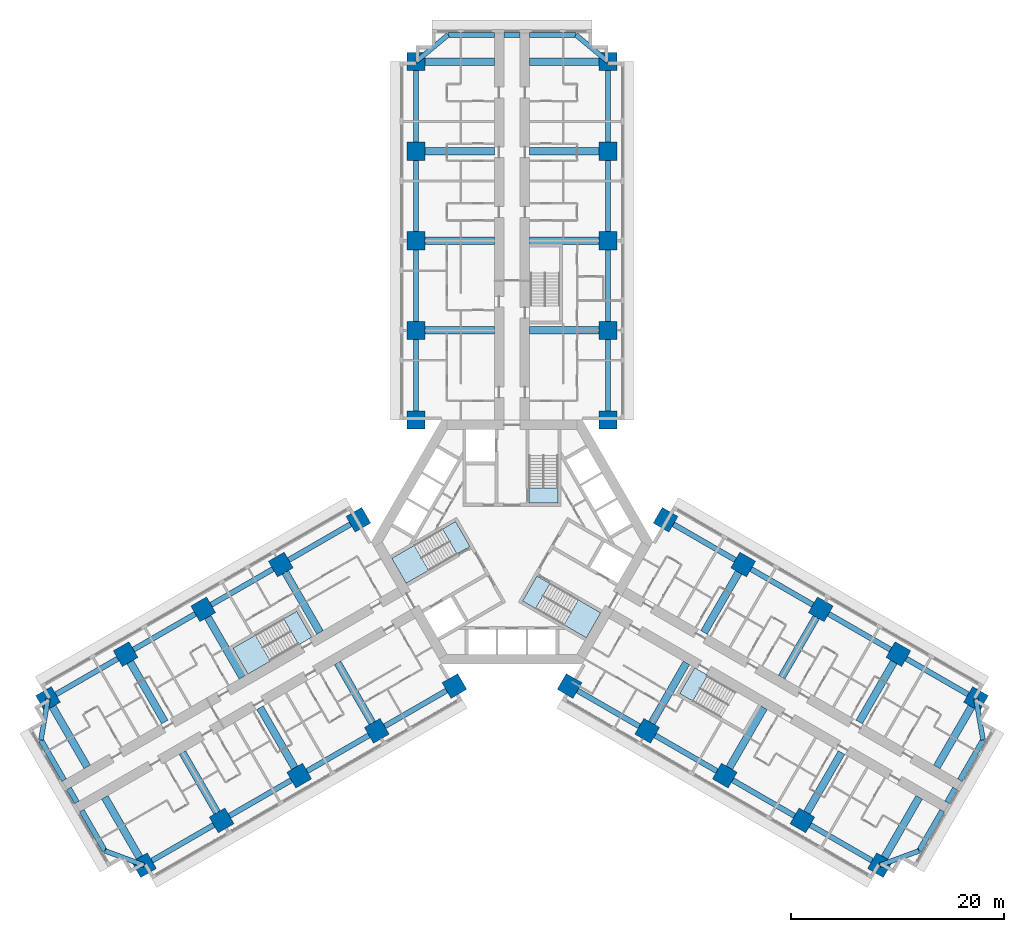
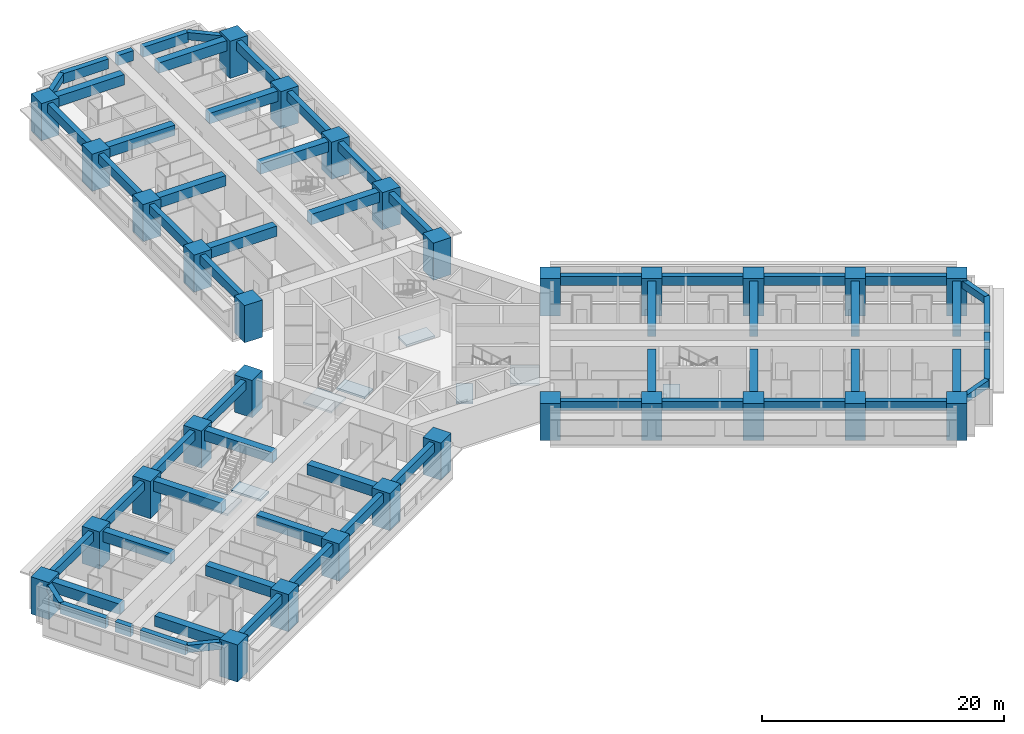
# One storey, part 1 of 16: 63 beams, 30 columns, 8 slabs, 5 elements without a shape of their own.
"""IFC4 building model written with IfcOpenShell, lengths in metres."""

from ifc_helpers import new_model, si_unit, direction, frame, origin, origin_2d, place, context, subcontext, project, spatial, polyline, rectangle, outline, extrude, material, layer, layer_set, material_profile, profile_set, type_object, element, aggregate, save


model = new_model("IFC4")

# Units and contexts
model_context = context("Model", 3, precision=1e-05, world=origin(), true_north=direction((0.0, 1.0)))
body_context = subcontext(model_context, "Body", "Model", "MODEL_VIEW")
ifc_project = project(units=[si_unit("LENGTHUNIT", "METRE"), si_unit("AREAUNIT", "SQUARE_METRE"), si_unit("VOLUMEUNIT", "CUBIC_METRE"), si_unit("PLANEANGLEUNIT", "RADIAN"), si_unit("MASSUNIT", "GRAM", prefix="KILO")], contexts=[model_context])

# Site, building, storey
site_placement = place(None, origin())
site = spatial("IfcSite", under=ifc_project, at=site_placement, CompositionType="ELEMENT")
building_placement = place(site_placement, origin())
building = spatial("IfcBuilding", under=site, at=building_placement, Name="Impinga Residences", CompositionType="ELEMENT")
storey_placement = place(building_placement, frame((0.0, 0.0, 37.25)))
storey = spatial("IfcBuildingStorey", under=building, at=storey_placement, Name="L08", CompositionType="ELEMENT", Elevation=37.25)

# Columns
ifc_material_1 = material(Name="Concrete C70/85", Category="concrete")
ifc_material_profile_1 = material_profile(ifc_material_1, rectangle(XDim=1.699951171875, YDim=1.699951171875, at=origin_2d()), Name="RC 1700x1700")
ifc_profile_set_1 = profile_set([ifc_material_profile_1], Name="Concrete C70/85")
column_type = type_object("IfcColumnType", Name="C10 1700x1700 column", PredefinedType="COLUMN", material=ifc_profile_set_1)
for number, where, z_axis, x_axis, name in (
    (1, (-9.0, 11.431640625, 0.0), (0.0, 0.0, 1.0), (1.0, 0.0, 0.0), "Column C10 N1/NA L08"),
    (2, (9.0, 11.431640625, 0.0), (0.0, 0.0, 1.0), (1.0, 0.0, 0.0), "Column C10 N1/NF L08"),
    (3, (-9.0, 19.83154296875, 0.0), (0.0, 0.0, 1.0), (1.0, 0.0, 0.0), "Column C10 N2/NA L08"),
    (4, (9.0, 19.83154296875, 0.0), (0.0, 0.0, 1.0), (1.0, 0.0, 0.0), "Column C10 N2/NF L08"),
    (5, (-9.0, 28.2314453125, 0.0), (0.0, 0.0, 1.0), (1.0, 0.0, 0.0), "Column C10 N3/NA L08"),
    (6, (9.0, 28.2314453125, 0.0), (0.0, 0.0, 1.0), (1.0, 0.0, 0.0), "Column C10 N3/NF L08"),
    (7, (-9.0, 36.631591796875, 0.0), (0.0, 0.0, 1.0), (1.0, 0.0, 0.0), "Column C10 N4/NA L08"),
    (8, (9.0, 36.631591796875, 0.0), (0.0, 0.0, 1.0), (1.0, 0.0, 0.0), "Column C10 N4/NF L08"),
    (9, (-9.0, 45.031494140625, 0.0), (0.0, 0.0, 1.0), (1.0, 0.0, 0.0), "Column C10 N5/NA L08"),
    (10, (9.0, 45.031494140625, 0.0), (0.0, 0.0, 1.0), (1.0, 0.0, 0.0), "Column C10 N5/NF L08"),
    (11, (-5.39990234375, -13.510009765625, 0.0), (0.0, 0.0, 1.0), (-0.5, 0.866025403784, 0.0), "Column C10 W1/WA L08"),
    (12, (-14.39990234375, 2.078369140625, 0.0), (0.0, 0.0, 1.0), (-0.5, 0.866025403784, 0.0), "Column C10 W1/WF L08"),
    (13, (-12.674560546875, -17.7099609375, 0.0), (0.0, 0.0, 1.0), (-0.5, 0.866025403784, 0.0), "Column C10 W2/WA L08"),
    (14, (-21.674560546875, -2.12158203125, 0.0), (0.0, 0.0, 1.0), (-0.5, 0.866025403784, 0.0), "Column C10 W2/WF L08"),
    (15, (-19.94921875, -21.909912109375, 0.0), (0.0, 0.0, 1.0), (-0.5, 0.866025403784, 0.0), "Column C10 W3/WA L08"),
    (16, (-28.94921875, -6.321533203125, 0.0), (0.0, 0.0, 1.0), (-0.5, 0.866025403784, 0.0), "Column C10 W3/WF L08"),
    (17, (-27.223876953125, -26.110107421875, 0.0), (0.0, 0.0, 1.0), (-0.5, 0.866025403784, 0.0), "Column C10 W4/WA L08"),
    (18, (-36.223876953125, -10.521484375, 0.0), (0.0, 0.0, 1.0), (-0.5, 0.866025403784, 0.0), "Column C10 W4/WF L08"),
    (19, (-34.49853515625, -30.31005859375, 0.0), (0.0, 0.0, 1.0), (-0.5, 0.866025403784, 0.0), "Column C10 W5/WA L08"),
    (20, (-43.49853515625, -14.721435546875, 0.0), (0.0, 0.0, 1.0), (-0.5, 0.866025403784, 0.0), "Column C10 W5/WF L08"),
    (21, (14.39990234375, 2.078369140625, 0.0), (0.0, 0.0, 1.0), (-0.5, -0.866025403784, 0.0), "Column C10 E1/EA L08"),
    (22, (5.39990234375, -13.510009765625, 0.0), (0.0, 0.0, 1.0), (-0.5, -0.866025403784, 0.0), "Column C10 E1/EF L08"),
    (23, (21.674560546875, -2.12158203125, 0.0), (0.0, 0.0, 1.0), (-0.5, -0.866025403784, 0.0), "Column C10 E2/EA L08"),
    (24, (12.674560546875, -17.7099609375, 0.0), (0.0, 0.0, 1.0), (-0.5, -0.866025403784, 0.0), "Column C10 E2/EF L08"),
    (25, (28.94921875, -6.321533203125, 0.0), (0.0, 0.0, 1.0), (-0.5, -0.866025403784, 0.0), "Column C10 E3/EA L08"),
    (26, (19.94921875, -21.909912109375, 0.0), (0.0, 0.0, 1.0), (-0.5, -0.866025403784, 0.0), "Column C10 E3/EF L08"),
    (27, (36.223876953125, -10.521484375, 0.0), (0.0, 0.0, 1.0), (-0.5, -0.866025403784, 0.0), "Column C10 E4/EA L08"),
    (28, (27.223876953125, -26.110107421875, 0.0), (0.0, 0.0, 1.0), (-0.5, -0.866025403784, 0.0), "Column C10 E4/EF L08"),
    (29, (43.49853515625, -14.721435546875, 0.0), (0.0, 0.0, 1.0), (-0.5, -0.866025403784, 0.0), "Column C10 E5/EA L08"),
    (30, (34.49853515625, -30.31005859375, 0.0), (0.0, 0.0, 1.0), (-0.5, -0.866025403784, 0.0), "Column C10 E5/EF L08"),
):
    element("IfcColumn", number, at=place(storey_placement, frame(where, z_axis=z_axis, x_axis=x_axis)), inside=storey, type_object=column_type, Name=name, PredefinedType="COLUMN", context=body_context, shape_type="SweptSolid", body=[
        extrude(rectangle(XDim=1.699951171875, YDim=1.699951171875, at=origin_2d()), origin(), (0.0, 0.0, 1.0), 3.75),
    ])

# Beams
ifc_material_2 = material(Name="Concrete C60/75", Category="concrete")
ifc_material_profile_2 = material_profile(ifc_material_2, rectangle(XDim=0.449951171875, YDim=0.75, at=origin_2d()), Name="RC 450x750")
ifc_profile_set_2 = profile_set([ifc_material_profile_2], Name="Concrete C60/75")
beam_type_1 = type_object("IfcBeamType", Name="CB1 450x750 wing end cantilever beam", PredefinedType="BEAM", material=ifc_profile_set_2)
for number, where, z_axis, x_axis, name in (
    (31, (-9.0, 45.031494140625, 3.155029296875), (0.768221279597, 0.640184399664, 0.0), (-0.640184399664, 0.768221279597, 0.0), "Beam CB1 NB N5-NX level L09"),
    (32, (9.0, 45.031494140625, 3.155029296875), (-0.768221279597, 0.640184399664, 0.0), (-0.640184399664, -0.768221279597, 0.0), "Beam CB1 NE N5-NX level L09"),
    (33, (-34.49853515625, -30.31005859375, 3.155029296875), (-0.938520178725, 0.345224382289, 0.0), (-0.345224382289, -0.938520178725, 0.0), "Beam CB1 WB W5-WX level L09"),
):
    element("IfcBeam", number, at=place(storey_placement, frame(where, z_axis=z_axis, x_axis=x_axis)), inside=storey, type_object=beam_type_1, Name=name, PredefinedType="BEAM", context=body_context, shape_type="SweptSolid", body=[
        extrude(rectangle(XDim=0.449951171875, YDim=0.75, at=origin_2d()), origin(), (0.0, 0.0, 1.0), 3.905029296875),
    ])
for number, where, z_axis, x_axis, name in (
    (34, (-43.49853515625, -14.721435546875, 3.155029296875), (-0.170296298948, -0.985392901621, 0.0), (0.985392901621, -0.170296298948, 0.0), "Beam CB1 WE W5-WX level L09"),
    (35, (43.49853515625, -14.721435546875, 3.155029296875), (0.170296298948, -0.985392901621, 0.0), (0.985392901621, 0.170296298948, 0.0), "Beam CB1 EB E5-EX level L09"),
):
    element("IfcBeam", number, at=place(storey_placement, frame(where, z_axis=z_axis, x_axis=x_axis)), inside=storey, type_object=beam_type_1, Name=name, PredefinedType="BEAM", context=body_context, shape_type="SweptSolid", body=[
        extrude(rectangle(XDim=0.449951171875, YDim=0.75, at=origin_2d()), origin(), (0.0, 0.0, 1.0), 3.9052734375),
    ])
beam_1_placement = place(storey_placement, frame((34.49853515625, -30.31005859375, 3.155029296875), z_axis=(0.938520178725, 0.345224382289, 0.0), x_axis=(-0.345224382289, 0.938520178725, 0.0)))
element("IfcBeam", 36, at=beam_1_placement, inside=storey, type_object=beam_type_1, Name="Beam CB1 EE E5-EX level L09", PredefinedType="BEAM", context=body_context, shape_type="SweptSolid", body=[
    extrude(rectangle(XDim=0.449951171875, YDim=0.75, at=origin_2d()), origin(), (0.0, 0.0, 1.0), 3.905029296875),
])
ifc_material_profile_3 = material_profile(ifc_material_2, rectangle(XDim=0.699951171875, YDim=1.050048828125, at=origin_2d()), Name="RC 700x1050")
ifc_profile_set_3 = profile_set([ifc_material_profile_3], Name="Concrete C60/75")
beam_type_2 = type_object("IfcBeamType", Name="CG1 700x1050 cross girder on a wing bay line", PredefinedType="BEAM", material=ifc_profile_set_3)
for number, where, z_axis, x_axis, name in (
    (37, (-1.64990234375, 19.83154296875, 3.0048828125), (-1.0, 0.0, 0.0), (0.0, -1.0, 0.0), "Beam CG1 N2 NC/NA level L09"),
    (38, (-1.64990234375, 28.2314453125, 3.0048828125), (-1.0, 0.0, 0.0), (0.0, -1.0, 0.0), "Beam CG1 N3 NC/NA level L09"),
    (39, (-1.64990234375, 36.631591796875, 3.0048828125), (-1.0, 0.0, 0.0), (0.0, -1.0, 0.0), "Beam CG1 N4 NC/NA level L09"),
    (40, (-1.64990234375, 45.031494140625, 3.0048828125), (-1.0, 0.0, 0.0), (0.0, -1.0, 0.0), "Beam CG1 N5 NC/NA level L09"),
    (41, (1.64990234375, 19.83154296875, 3.0048828125), (1.0, 0.0, 0.0), (0.0, 1.0, 0.0), "Beam CG1 N2 NC/NF level L09"),
    (42, (1.64990234375, 28.2314453125, 3.0048828125), (1.0, 0.0, 0.0), (0.0, 1.0, 0.0), "Beam CG1 N3 NC/NF level L09"),
    (43, (1.64990234375, 36.631591796875, 3.0048828125), (1.0, 0.0, 0.0), (0.0, 1.0, 0.0), "Beam CG1 N4 NC/NF level L09"),
    (44, (1.64990234375, 45.031494140625, 3.0048828125), (1.0, 0.0, 0.0), (0.0, 1.0, 0.0), "Beam CG1 N5 NC/NF level L09"),
    (45, (-16.349609375, -11.3447265625, 3.0048828125), (0.500008066151, -0.86602074674, 0.0), (0.86602074674, 0.500008066151, 0.0), "Beam CG1 W2 WC/WA level L09"),
    (46, (-23.624267578125, -15.544677734375, 3.0048828125), (0.500008066151, -0.86602074674, 0.0), (0.86602074674, 0.500008066151, 0.0), "Beam CG1 W3 WC/WA level L09"),
    (47, (-30.89892578125, -19.74462890625, 3.0048828125), (0.499993683172, -0.866029050776, 0.0), (0.866029050776, 0.499993683172, 0.0), "Beam CG1 W4 WC/WA level L09"),
):
    element("IfcBeam", number, at=place(storey_placement, frame(where, z_axis=z_axis, x_axis=x_axis)), inside=storey, type_object=beam_type_2, Name=name, PredefinedType="BEAM", context=body_context, shape_type="SweptSolid", body=[
        extrude(rectangle(XDim=0.699951171875, YDim=1.050048828125, at=origin_2d()), origin(), (0.0, 0.0, 1.0), 7.35009765625),
    ])
beam_2_placement = place(storey_placement, frame((-38.17333984375, -23.94482421875, 3.0048828125), z_axis=(0.499983153418, -0.866035129944, 0.0), x_axis=(0.866035129944, 0.499983153418, 0.0)))
element("IfcBeam", 48, at=beam_2_placement, inside=storey, type_object=beam_type_2, Name="Beam CG1 W5 WC/WA level L09", PredefinedType="BEAM", context=body_context, shape_type="SweptSolid", body=[
    extrude(rectangle(XDim=0.699951171875, YDim=1.050048828125, at=origin_2d()), origin(), (0.0, 0.0, 1.0), 7.349853515625),
])
for number, where, z_axis, x_axis, name in (
    (49, (-17.99951171875, -8.48681640625, 3.0048828125), (-0.500008066151, 0.86602074674, 0.0), (-0.86602074674, -0.500008066151, 0.0), "Beam CG1 W2 WC/WF level L09"),
    (50, (-25.274169921875, -12.686767578125, 3.0048828125), (-0.500008066151, 0.86602074674, 0.0), (-0.86602074674, -0.500008066151, 0.0), "Beam CG1 W3 WC/WF level L09"),
    (51, (-32.548828125, -16.88671875, 3.0048828125), (-0.500008066151, 0.86602074674, 0.0), (-0.86602074674, -0.500008066151, 0.0), "Beam CG1 W4 WC/WF level L09"),
    (52, (-39.823486328125, -21.0869140625, 3.0048828125), (-0.499993683172, 0.866029050776, 0.0), (-0.866029050776, -0.499993683172, 0.0), "Beam CG1 W5 WC/WF level L09"),
    (53, (17.99951171875, -8.48681640625, 3.0048828125), (0.500008066151, 0.86602074674, 0.0), (-0.86602074674, 0.500008066151, 0.0), "Beam CG1 E2 EC/EA level L09"),
    (54, (25.274169921875, -12.686767578125, 3.0048828125), (0.500008066151, 0.86602074674, 0.0), (-0.86602074674, 0.500008066151, 0.0), "Beam CG1 E3 EC/EA level L09"),
    (55, (32.548828125, -16.88671875, 3.0048828125), (0.500008066151, 0.86602074674, 0.0), (-0.86602074674, 0.500008066151, 0.0), "Beam CG1 E4 EC/EA level L09"),
    (56, (39.823486328125, -21.0869140625, 3.0048828125), (0.499993683172, 0.866029050776, 0.0), (-0.866029050776, 0.499993683172, 0.0), "Beam CG1 E5 EC/EA level L09"),
    (57, (16.349609375, -11.3447265625, 3.0048828125), (-0.500008066151, -0.86602074674, 0.0), (0.86602074674, -0.500008066151, 0.0), "Beam CG1 E2 EC/EF level L09"),
    (58, (23.624267578125, -15.544677734375, 3.0048828125), (-0.500008066151, -0.86602074674, 0.0), (0.86602074674, -0.500008066151, 0.0), "Beam CG1 E3 EC/EF level L09"),
    (59, (30.89892578125, -19.74462890625, 3.0048828125), (-0.499993683172, -0.866029050776, 0.0), (0.866029050776, -0.499993683172, 0.0), "Beam CG1 E4 EC/EF level L09"),
):
    element("IfcBeam", number, at=place(storey_placement, frame(where, z_axis=z_axis, x_axis=x_axis)), inside=storey, type_object=beam_type_2, Name=name, PredefinedType="BEAM", context=body_context, shape_type="SweptSolid", body=[
        extrude(rectangle(XDim=0.699951171875, YDim=1.050048828125, at=origin_2d()), origin(), (0.0, 0.0, 1.0), 7.35009765625),
    ])
beam_3_placement = place(storey_placement, frame((38.17333984375, -23.94482421875, 3.0048828125), z_axis=(-0.499983153418, -0.866035129944, 0.0), x_axis=(0.866035129944, -0.499983153418, 0.0)))
element("IfcBeam", 60, at=beam_3_placement, inside=storey, type_object=beam_type_2, Name="Beam CG1 E5 EC/EF level L09", PredefinedType="BEAM", context=body_context, shape_type="SweptSolid", body=[
    extrude(rectangle(XDim=0.699951171875, YDim=1.050048828125, at=origin_2d()), origin(), (0.0, 0.0, 1.0), 7.349853515625),
])
ifc_material_profile_4 = material_profile(ifc_material_2, rectangle(XDim=0.5, YDim=1.0, at=origin_2d()), Name="RC 500x1000")
ifc_profile_set_4 = profile_set([ifc_material_profile_4], Name="Concrete C60/75")
beam_type_3 = type_object("IfcBeamType", Name="EB1 500x1000 wing end beam", PredefinedType="BEAM", material=ifc_profile_set_4)
beam_4_placement = place(storey_placement, frame((-6.0, 47.531494140625, 3.030029296875), z_axis=(1.0, 0.0, 0.0), x_axis=(0.0, 1.0, 0.0)))
element("IfcBeam", 61, at=beam_4_placement, inside=storey, type_object=beam_type_3, Name="Beam EB1 NX4 level L09", PredefinedType="BEAM", context=body_context, shape_type="SweptSolid", body=[
    extrude(rectangle(XDim=0.5, YDim=1.0, at=origin_2d()), origin(), (0.0, 0.0, 1.0), 4.35009765625),
])
beam_5_placement = place(storey_placement, frame((-0.75, 47.531494140625, 3.030029296875), z_axis=(1.0, 0.0, 0.0), x_axis=(0.0, 1.0, 0.0)))
element("IfcBeam", 62, at=beam_5_placement, inside=storey, type_object=beam_type_3, Name="Beam EB1 NX4 level L09", PredefinedType="BEAM", context=body_context, shape_type="SweptSolid", body=[
    extrude(rectangle(XDim=0.5, YDim=1.0, at=origin_2d()), origin(), (0.0, 0.0, 1.0), 1.5),
])
beam_6_placement = place(storey_placement, frame((1.64990234375, 47.531494140625, 3.030029296875), z_axis=(1.0, 0.0, 0.0), x_axis=(0.0, 1.0, 0.0)))
element("IfcBeam", 63, at=beam_6_placement, inside=storey, type_object=beam_type_3, Name="Beam EB1 NX4 level L09", PredefinedType="BEAM", context=body_context, shape_type="SweptSolid", body=[
    extrude(rectangle(XDim=0.5, YDim=1.0, at=origin_2d()), origin(), (0.0, 0.0, 1.0), 4.35009765625),
])
beam_7_placement = place(storey_placement, frame((-38.16357421875, -28.9619140625, 3.030029296875), z_axis=(-0.500020430026, 0.866013608182, 0.0), x_axis=(-0.866013608182, -0.500020430026, 0.0)))
element("IfcBeam", 64, at=beam_7_placement, inside=storey, type_object=beam_type_3, Name="Beam EB1 WX4 level L09", PredefinedType="BEAM", context=body_context, shape_type="SweptSolid", body=[
    extrude(rectangle(XDim=0.5, YDim=1.0, at=origin_2d()), origin(), (0.0, 0.0, 1.0), 4.349853515625),
])
beam_8_placement = place(storey_placement, frame((-40.78857421875, -24.415283203125, 3.030029296875), z_axis=(-0.499990139034, 0.866031096941, 0.0), x_axis=(-0.866031096941, -0.499990139034, 0.0)))
element("IfcBeam", 65, at=beam_8_placement, inside=storey, type_object=beam_type_3, Name="Beam EB1 WX4 level L09", PredefinedType="BEAM", context=body_context, shape_type="SweptSolid", body=[
    extrude(rectangle(XDim=0.5, YDim=1.0, at=origin_2d()), origin(), (0.0, 0.0, 1.0), 1.5),
])
for number, where, z_axis, x_axis, name in (
    (66, (-41.988525390625, -22.3369140625, 3.030029296875), (-0.499996127374, 0.866027639635, 0.0), (-0.866027639635, -0.499996127374, 0.0), "Beam EB1 WX4 level L09"),
    (67, (44.16357421875, -18.569580078125, 3.030029296875), (-0.499996127374, -0.866027639635, 0.0), (0.866027639635, -0.499996127374, 0.0), "Beam EB1 EX4 level L09"),
):
    element("IfcBeam", number, at=place(storey_placement, frame(where, z_axis=z_axis, x_axis=x_axis)), inside=storey, type_object=beam_type_3, Name=name, PredefinedType="BEAM", context=body_context, shape_type="SweptSolid", body=[
        extrude(rectangle(XDim=0.5, YDim=1.0, at=origin_2d()), origin(), (0.0, 0.0, 1.0), 4.35009765625),
    ])
beam_9_placement = place(storey_placement, frame((41.53857421875, -23.1162109375, 3.030029296875), z_axis=(-0.499990139034, -0.866031096941, 0.0), x_axis=(0.866031096941, -0.499990139034, 0.0)))
element("IfcBeam", 68, at=beam_9_placement, inside=storey, type_object=beam_type_3, Name="Beam EB1 EX4 level L09", PredefinedType="BEAM", context=body_context, shape_type="SweptSolid", body=[
    extrude(rectangle(XDim=0.5, YDim=1.0, at=origin_2d()), origin(), (0.0, 0.0, 1.0), 1.5),
])
beam_10_placement = place(storey_placement, frame((40.338623046875, -25.19482421875, 3.030029296875), z_axis=(-0.500020430026, -0.866013608182, 0.0), x_axis=(0.866013608182, -0.500020430026, 0.0)))
element("IfcBeam", 69, at=beam_10_placement, inside=storey, type_object=beam_type_3, Name="Beam EB1 EX4 level L09", PredefinedType="BEAM", context=body_context, shape_type="SweptSolid", body=[
    extrude(rectangle(XDim=0.5, YDim=1.0, at=origin_2d()), origin(), (0.0, 0.0, 1.0), 4.349853515625),
])
ifc_material_profile_5 = material_profile(ifc_material_2, rectangle(XDim=0.5, YDim=0.89990234375, at=origin_2d()), Name="RC 500x900")
ifc_profile_set_5 = profile_set([ifc_material_profile_5], Name="Concrete C60/75")
beam_type_4 = type_object("IfcBeamType", Name="SB1 500x900 perimeter spandrel beam", PredefinedType="SPANDREL", material=ifc_profile_set_5)
for number, where, z_axis, x_axis, name in (
    (70, (-9.0, 11.431640625, 3.080078125), (0.0, 1.0, 0.0), (-1.0, 0.0, 0.0), "Beam SB1 NA N1-N2 level L09"),
    (71, (-9.0, 19.83154296875, 3.080078125), (0.0, 1.0, 0.0), (-1.0, 0.0, 0.0), "Beam SB1 NA N2-N3 level L09"),
):
    element("IfcBeam", number, at=place(storey_placement, frame(where, z_axis=z_axis, x_axis=x_axis)), inside=storey, type_object=beam_type_4, Name=name, PredefinedType="SPANDREL", context=body_context, shape_type="SweptSolid", body=[
        extrude(rectangle(XDim=0.5, YDim=0.89990234375, at=origin_2d()), origin(), (0.0, 0.0, 1.0), 8.39990234375),
    ])
beam_11_placement = place(storey_placement, frame((-9.0, 28.2314453125, 3.080078125), z_axis=(0.0, 1.0, 0.0), x_axis=(-1.0, 0.0, 0.0)))
element("IfcBeam", 72, at=beam_11_placement, inside=storey, type_object=beam_type_4, Name="Beam SB1 NA N3-N4 level L09", PredefinedType="SPANDREL", context=body_context, shape_type="SweptSolid", body=[
    extrude(rectangle(XDim=0.5, YDim=0.89990234375, at=origin_2d()), origin(), (0.0, 0.0, 1.0), 8.400146484375),
])
for number, where, z_axis, x_axis, name in (
    (73, (-9.0, 36.631591796875, 3.080078125), (0.0, 1.0, 0.0), (-1.0, 0.0, 0.0), "Beam SB1 NA N4-N5 level L09"),
    (74, (9.0, 11.431640625, 3.080078125), (0.0, 1.0, 0.0), (-1.0, 0.0, 0.0), "Beam SB1 NF N1-N2 level L09"),
    (75, (9.0, 19.83154296875, 3.080078125), (0.0, 1.0, 0.0), (-1.0, 0.0, 0.0), "Beam SB1 NF N2-N3 level L09"),
):
    element("IfcBeam", number, at=place(storey_placement, frame(where, z_axis=z_axis, x_axis=x_axis)), inside=storey, type_object=beam_type_4, Name=name, PredefinedType="SPANDREL", context=body_context, shape_type="SweptSolid", body=[
        extrude(rectangle(XDim=0.5, YDim=0.89990234375, at=origin_2d()), origin(), (0.0, 0.0, 1.0), 8.39990234375),
    ])
beam_12_placement = place(storey_placement, frame((9.0, 28.2314453125, 3.080078125), z_axis=(0.0, 1.0, 0.0), x_axis=(-1.0, 0.0, 0.0)))
element("IfcBeam", 76, at=beam_12_placement, inside=storey, type_object=beam_type_4, Name="Beam SB1 NF N3-N4 level L09", PredefinedType="SPANDREL", context=body_context, shape_type="SweptSolid", body=[
    extrude(rectangle(XDim=0.5, YDim=0.89990234375, at=origin_2d()), origin(), (0.0, 0.0, 1.0), 8.400146484375),
])
for number, where, z_axis, x_axis, name in (
    (77, (9.0, 36.631591796875, 3.080078125), (0.0, 1.0, 0.0), (-1.0, 0.0, 0.0), "Beam SB1 NF N4-N5 level L09"),
    (78, (-5.39990234375, -13.510009765625, 3.080078125), (-0.86602925447, -0.499993330357, 0.0), (0.499993330357, -0.86602925447, 0.0), "Beam SB1 WA W1-W2 level L09"),
    (79, (-12.674560546875, -17.7099609375, 3.080078125), (-0.86602925447, -0.499993330357, 0.0), (0.499993330357, -0.86602925447, 0.0), "Beam SB1 WA W2-W3 level L09"),
):
    element("IfcBeam", number, at=place(storey_placement, frame(where, z_axis=z_axis, x_axis=x_axis)), inside=storey, type_object=beam_type_4, Name=name, PredefinedType="SPANDREL", context=body_context, shape_type="SweptSolid", body=[
        extrude(rectangle(XDim=0.5, YDim=0.89990234375, at=origin_2d()), origin(), (0.0, 0.0, 1.0), 8.39990234375),
    ])
beam_13_placement = place(storey_placement, frame((-19.94921875, -21.909912109375, 3.080078125), z_axis=(-0.866016669275, -0.500015128309, 0.0), x_axis=(0.500015128309, -0.866016669275, 0.0)))
element("IfcBeam", 80, at=beam_13_placement, inside=storey, type_object=beam_type_4, Name="Beam SB1 WA W3-W4 level L09", PredefinedType="SPANDREL", context=body_context, shape_type="SweptSolid", body=[
    extrude(rectangle(XDim=0.5, YDim=0.89990234375, at=origin_2d()), origin(), (0.0, 0.0, 1.0), 8.400146484375),
])
for number, where, z_axis, x_axis, name in (
    (81, (-27.223876953125, -26.110107421875, 3.080078125), (-0.86602925447, -0.499993330357, 0.0), (0.499993330357, -0.86602925447, 0.0), "Beam SB1 WA W4-W5 level L09"),
    (82, (-14.39990234375, 2.078369140625, 3.080078125), (-0.86602925447, -0.499993330357, 0.0), (0.499993330357, -0.86602925447, 0.0), "Beam SB1 WF W1-W2 level L09"),
    (83, (-21.674560546875, -2.12158203125, 3.080078125), (-0.86602925447, -0.499993330357, 0.0), (0.499993330357, -0.86602925447, 0.0), "Beam SB1 WF W2-W3 level L09"),
    (84, (-28.94921875, -6.321533203125, 3.080078125), (-0.86602925447, -0.499993330357, 0.0), (0.499993330357, -0.86602925447, 0.0), "Beam SB1 WF W3-W4 level L09"),
    (85, (-36.223876953125, -10.521484375, 3.080078125), (-0.86602925447, -0.499993330357, 0.0), (0.499993330357, -0.86602925447, 0.0), "Beam SB1 WF W4-W5 level L09"),
    (86, (14.39990234375, 2.078369140625, 3.080078125), (0.86602925447, -0.499993330357, 0.0), (0.499993330357, 0.86602925447, 0.0), "Beam SB1 EA E1-E2 level L09"),
    (87, (21.674560546875, -2.12158203125, 3.080078125), (0.86602925447, -0.499993330357, 0.0), (0.499993330357, 0.86602925447, 0.0), "Beam SB1 EA E2-E3 level L09"),
    (88, (28.94921875, -6.321533203125, 3.080078125), (0.86602925447, -0.499993330357, 0.0), (0.499993330357, 0.86602925447, 0.0), "Beam SB1 EA E3-E4 level L09"),
    (89, (36.223876953125, -10.521484375, 3.080078125), (0.86602925447, -0.499993330357, 0.0), (0.499993330357, 0.86602925447, 0.0), "Beam SB1 EA E4-E5 level L09"),
    (90, (5.39990234375, -13.510009765625, 3.080078125), (0.86602925447, -0.499993330357, 0.0), (0.499993330357, 0.86602925447, 0.0), "Beam SB1 EF E1-E2 level L09"),
    (91, (12.674560546875, -17.7099609375, 3.080078125), (0.86602925447, -0.499993330357, 0.0), (0.499993330357, 0.86602925447, 0.0), "Beam SB1 EF E2-E3 level L09"),
):
    element("IfcBeam", number, at=place(storey_placement, frame(where, z_axis=z_axis, x_axis=x_axis)), inside=storey, type_object=beam_type_4, Name=name, PredefinedType="SPANDREL", context=body_context, shape_type="SweptSolid", body=[
        extrude(rectangle(XDim=0.5, YDim=0.89990234375, at=origin_2d()), origin(), (0.0, 0.0, 1.0), 8.39990234375),
    ])
beam_14_placement = place(storey_placement, frame((19.94921875, -21.909912109375, 3.080078125), z_axis=(0.866016669275, -0.500015128309, 0.0), x_axis=(0.500015128309, 0.866016669275, 0.0)))
element("IfcBeam", 92, at=beam_14_placement, inside=storey, type_object=beam_type_4, Name="Beam SB1 EF E3-E4 level L09", PredefinedType="SPANDREL", context=body_context, shape_type="SweptSolid", body=[
    extrude(rectangle(XDim=0.5, YDim=0.89990234375, at=origin_2d()), origin(), (0.0, 0.0, 1.0), 8.400146484375),
])
beam_15_placement = place(storey_placement, frame((27.223876953125, -26.110107421875, 3.080078125), z_axis=(0.86602925447, -0.499993330357, 0.0), x_axis=(0.499993330357, 0.86602925447, 0.0)))
element("IfcBeam", 93, at=beam_15_placement, inside=storey, type_object=beam_type_4, Name="Beam SB1 EF E4-E5 level L09", PredefinedType="SPANDREL", context=body_context, shape_type="SweptSolid", body=[
    extrude(rectangle(XDim=0.5, YDim=0.89990234375, at=origin_2d()), origin(), (0.0, 0.0, 1.0), 8.39990234375),
])

# Stair, slab
ifc_material_3 = material(Name="Concrete C40/50", Category="concrete")
stair_type_1 = type_object("IfcStairType", Name="STR core stair 3750 storey, 24 risers", PredefinedType="HALF_TURN_STAIR", material=ifc_material_3)
stair_1_placement = place(storey_placement, origin())
stair_1 = element("IfcStair", 94, at=stair_1_placement, inside=storey, type_object=stair_type_1, Name="Stair ST1 L08", PredefinedType="HALF_TURN_STAIR")
ifc_layer = layer(ifc_material_3, 0.199951171875)
ifc_layer_set = layer_set([ifc_layer], Name="Concrete C40/50")
slab_type = type_object("IfcSlabType", Name="LS1 stair landing 200", PredefinedType="LANDING", material=ifc_layer_set)
slab_1_placement = place(storey_placement, frame((0.0, 0.0, -0.199951171875)))
slab_1 = element("IfcSlab", 95, at=slab_1_placement, type_object=slab_type, Name="ST1 landing 1", PredefinedType="LANDING", context=body_context, shape_type="SweptSolid", body=[
    extrude(outline(polyline([(1.60009765625, 3.6298828125), (4.300048828125, 3.6298828125), (4.300048828125, 5.0400390625), (1.60009765625, 5.0400390625), (1.60009765625, 3.6298828125)])), origin(), (0.0, 0.0, 1.0), 0.199951171875),
])
aggregate(stair_1, [slab_1])

# Stair, slabs
stair_2_placement = place(storey_placement, origin())
stair_2 = element("IfcStair", 96, at=stair_2_placement, inside=storey, type_object=stair_type_1, Name="Stair ST2 L08", PredefinedType="HALF_TURN_STAIR")
slab_2_placement = place(storey_placement, frame((0.0, 0.0, -0.199951171875)))
slab_2 = element("IfcSlab", 97, at=slab_2_placement, type_object=slab_type, Name="ST2 landing 1", PredefinedType="LANDING", context=body_context, shape_type="SweptSolid", body=[
    extrude(outline(polyline([(-3.943603515625, -0.429443359375), (-5.293701171875, 1.908935546875), (-6.5146484375, 1.203857421875), (-5.164794921875, -1.13427734375), (-3.943603515625, -0.429443359375)])), origin(), (0.0, 0.0, 1.0), 0.199951171875),
])
slab_3_placement = place(storey_placement, frame((0.0, 0.0, 1.675048828125)))
slab_3 = element("IfcSlab", 98, at=slab_3_placement, type_object=slab_type, Name="ST2 landing 2", PredefinedType="LANDING", context=body_context, shape_type="SweptSolid", body=[
    extrude(outline(polyline([(-7.814697265625, -2.664306640625), (-9.164794921875, -0.326171875), (-11.2705078125, -1.541748046875), (-9.920654296875, -3.880126953125), (-7.814697265625, -2.664306640625)])), origin(), (0.0, 0.0, 1.0), 0.199951171875),
])
aggregate(stair_2, [slab_2, slab_3])

stair_3_placement = place(storey_placement, origin())
stair_3 = element("IfcStair", 99, at=stair_3_placement, inside=storey, type_object=stair_type_1, Name="Stair ST3 L08", PredefinedType="HALF_TURN_STAIR")
slab_4_placement = place(storey_placement, frame((0.0, 0.0, -0.199951171875)))
slab_4 = element("IfcSlab", 100, at=slab_4_placement, type_object=slab_type, Name="ST3 landing 1", PredefinedType="LANDING", context=body_context, shape_type="SweptSolid", body=[
    extrude(outline(polyline([(2.34375, -3.20068359375), (0.99365234375, -5.538818359375), (2.21484375, -6.243896484375), (3.564697265625, -3.90576171875), (2.34375, -3.20068359375)])), origin(), (0.0, 0.0, 1.0), 0.199951171875),
])
slab_5_placement = place(storey_placement, frame((0.0, 0.0, 1.675048828125)))
slab_5 = element("IfcSlab", 101, at=slab_5_placement, type_object=slab_type, Name="ST3 landing 2", PredefinedType="LANDING", context=body_context, shape_type="SweptSolid", body=[
    extrude(outline(polyline([(6.21484375, -5.435546875), (4.86474609375, -7.77392578125), (6.970458984375, -8.98974609375), (8.320556640625, -6.6513671875), (6.21484375, -5.435546875)])), origin(), (0.0, 0.0, 1.0), 0.199951171875),
])
aggregate(stair_3, [slab_4, slab_5])

stair_type_2 = type_object("IfcStairType", Name="STR wing stair 3750 storey, 24 risers", PredefinedType="HALF_TURN_STAIR", material=ifc_material_3)
stair_4_placement = place(storey_placement, origin())
stair_4 = element("IfcStair", 102, at=stair_4_placement, inside=storey, type_object=stair_type_2, Name="Stair WS2 L08", PredefinedType="HALF_TURN_STAIR")
slab_6_placement = place(storey_placement, frame((0.0, 0.0, -0.199951171875)))
slab_6 = element("IfcSlab", 103, at=slab_6_placement, type_object=slab_type, Name="WS2 landing 1", PredefinedType="LANDING", context=body_context, shape_type="SweptSolid", body=[
    extrude(outline(polyline([(-18.779052734375, -8.936767578125), (-20.178955078125, -6.511962890625), (-21.400146484375, -7.217041015625), (-20.000244140625, -9.641845703125), (-18.779052734375, -8.936767578125)])), origin(), (0.0, 0.0, 1.0), 0.199951171875),
])
slab_7_placement = place(storey_placement, frame((0.0, 0.0, 1.675048828125)))
slab_7 = element("IfcSlab", 104, at=slab_7_placement, type_object=slab_type, Name="WS2 landing 2", PredefinedType="LANDING", context=body_context, shape_type="SweptSolid", body=[
    extrude(outline(polyline([(-22.650146484375, -11.171875), (-24.050048828125, -8.7470703125), (-26.154541015625, -9.9619140625), (-24.754638671875, -12.38671875), (-22.650146484375, -11.171875)])), origin(), (0.0, 0.0, 1.0), 0.199951171875),
])
aggregate(stair_4, [slab_6, slab_7])

# Stair, slab
stair_5_placement = place(storey_placement, origin())
stair_5 = element("IfcStair", 105, at=stair_5_placement, inside=storey, type_object=stair_type_2, Name="Stair WS3 L08", PredefinedType="HALF_TURN_STAIR")
slab_8_placement = place(storey_placement, frame((0.0, 0.0, -0.199951171875)))
slab_8 = element("IfcSlab", 106, at=slab_8_placement, type_object=slab_type, Name="WS3 landing 1", PredefinedType="LANDING", context=body_context, shape_type="SweptSolid", body=[
    extrude(outline(polyline([(17.129150390625, -11.794677734375), (15.72900390625, -14.219482421875), (16.9501953125, -14.924560546875), (18.35009765625, -12.499755859375), (17.129150390625, -11.794677734375)])), origin(), (0.0, 0.0, 1.0), 0.199951171875),
])
aggregate(stair_5, [slab_8])

save(model, "model.ifc")
